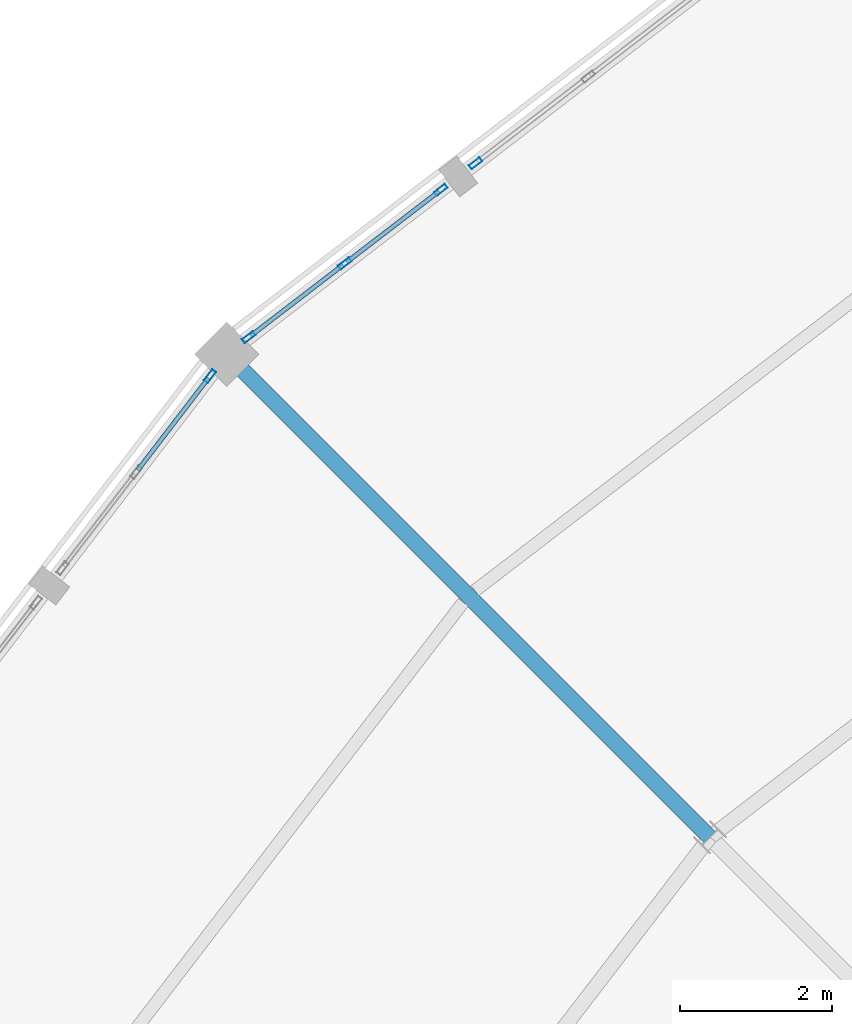
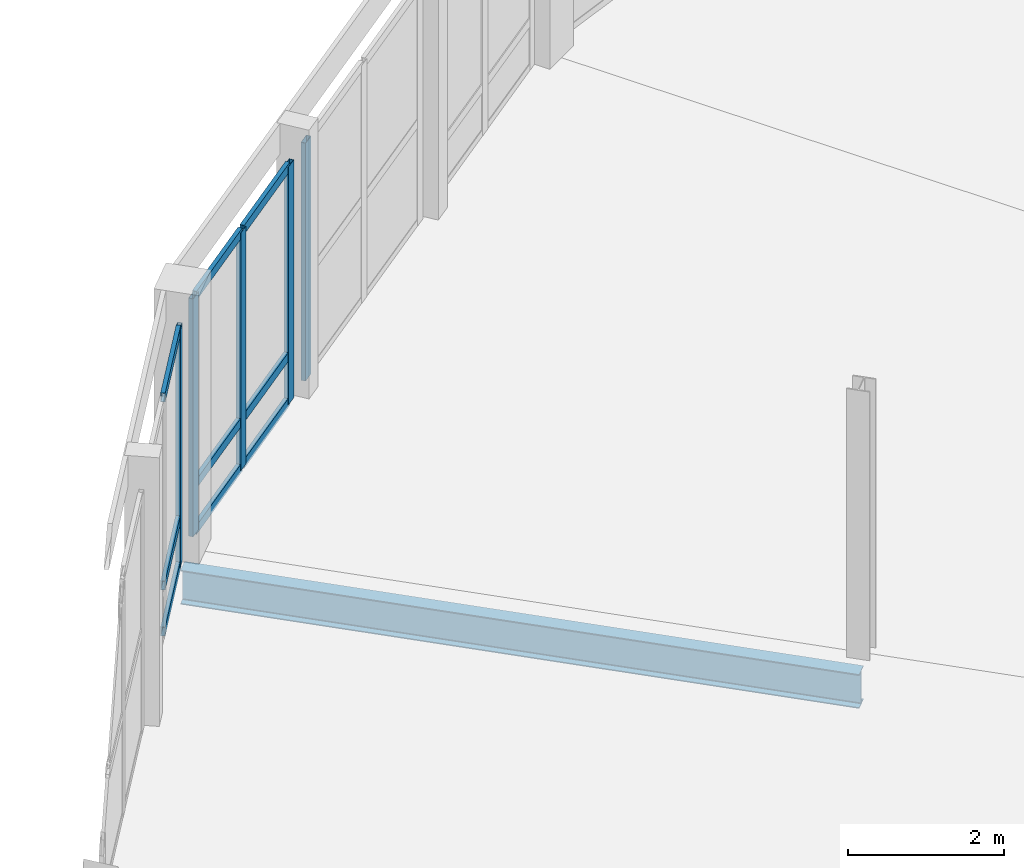
# One storey, part 71 of 170: 14 members, 1 beam, 3 elements without a shape of their own.
"""IFC4 building model written with IfcOpenShell, lengths in metres."""

from ifc_helpers import new_model, si_unit, direction, frame, origin, origin_2d, place, context, subcontext, project, spatial, hollow_rectangle, i_section, extrude, material, material_profile, profile_set, type_object, element, aggregate, save


model = new_model("IFC4")

# Units and contexts
model_context = context("Model", 3, precision=1e-05, world=origin(), true_north=direction((0.0, 1.0)))
body_context = subcontext(model_context, "Body", "Model", "MODEL_VIEW")
ifc_project = project(units=[si_unit("LENGTHUNIT", "METRE"), si_unit("AREAUNIT", "SQUARE_METRE"), si_unit("VOLUMEUNIT", "CUBIC_METRE"), si_unit("PLANEANGLEUNIT", "RADIAN"), si_unit("MASSUNIT", "GRAM", prefix="KILO")], contexts=[model_context])

# Site, building, storey
site_placement = place(None, origin())
site = spatial("IfcSite", under=ifc_project, at=site_placement, CompositionType="ELEMENT")
building_placement = place(site_placement, origin())
building = spatial("IfcBuilding", under=site, at=building_placement, Name="Vondelvale Polytechnic", CompositionType="ELEMENT")
storey_placement = place(building_placement, frame((0.0, 0.0, 5.39990234375)))
storey = spatial("IfcBuildingStorey", under=building, at=storey_placement, Name="L01", CompositionType="ELEMENT", Elevation=5.39990234375)

# Beam
ifc_material_1 = material(Name="Steel 300PLUS (fy = 300 MPa)", Category="steel")
ifc_material_profile_1 = material_profile(ifc_material_1, i_section(OverallWidth=0.208984375, OverallDepth=0.532958984375, WebThickness=0.01025390625, FlangeThickness=0.015625, FilletRadius=0.013916015625, at=origin_2d()), Name="530UB92.4")
ifc_profile_set_1 = profile_set([ifc_material_profile_1], Name="Steel 300PLUS (fy = 300 MPa)")
beam_type = type_object("IfcBeamType", Name="BM-UB530", PredefinedType="BEAM", material=ifc_profile_set_1)
beam_placement = place(storey_placement, frame((75.8369140625, 98.1630859375, -0.54638671875), z_axis=(-0.707106781187, 0.707106781187, 0.0), x_axis=(-0.707106781187, -0.707106781187, 0.0)))
element("IfcBeam", 1, at=beam_placement, inside=storey, type_object=beam_type, Name="L01 RG B-11", PredefinedType="BEAM", context=body_context, shape_type="SweptSolid", body=[
    extrude(i_section(OverallWidth=0.208984375, OverallDepth=0.532958984375, WebThickness=0.01025390625, FlangeThickness=0.015625, FilletRadius=0.013916015625, at=origin_2d()), origin(), (0.0, 0.0, 1.0), 8.999755859375),
])

# Curtain wall, member
ifc_material_2 = material(Name="Glulam GL18 structural Tasmanian oak (fb = 42 MPa)", Category="wood")
curtain_wall_type = type_object("IfcCurtainWallType", Name="CW-RING-OUTER", PredefinedType="NOTDEFINED", material=ifc_material_2)
curtain_wall_1_placement = place(storey_placement, origin())
curtain_wall_1 = element("IfcCurtainWall", 2, at=curtain_wall_1_placement, inside=storey, type_object=curtain_wall_type, Name="L01 architectural curtain wall CW-04-196", PredefinedType="NOTDEFINED")
ifc_material_3 = material(Name="Anodised extruded aluminium 6063-T6", Category="aluminium")
ifc_material_profile_2 = material_profile(ifc_material_3, hollow_rectangle(XDim=0.06494140625, YDim=0.179931640625, WallThickness=0.00390625, at=origin_2d()), Name="CW-MUL-180x65")
ifc_profile_set_2 = profile_set([ifc_material_profile_2], Name="Anodised extruded aluminium 6063-T6")
member_type_1 = type_object("IfcMemberType", Name="CW-MUL-65x180", PredefinedType="MULLION", material=ifc_profile_set_2)
member_1_placement = place(storey_placement, frame((72.749755859375, 107.041259765625, 0.0), z_axis=(0.0, 0.0, 1.0), x_axis=(0.608771189063, -0.793345851043, 0.0)))
member_1 = element("IfcMember", 3, at=member_1_placement, type_object=member_type_1, Name="CW-04-196 mullion 3", PredefinedType="MULLION", context=body_context, shape_type="SweptSolid", body=[
    extrude(hollow_rectangle(XDim=0.06494140625, YDim=0.179931640625, WallThickness=0.00390625, at=origin_2d()), origin(), (0.0, 0.0, 1.0), 3.72021484375),
])
aggregate(curtain_wall_1, [member_1])

# Curtain wall, members
curtain_wall_2_placement = place(storey_placement, origin())
curtain_wall_2 = element("IfcCurtainWall", 4, at=curtain_wall_2_placement, inside=storey, type_object=curtain_wall_type, Name="L01 architectural curtain wall CW-04-197", PredefinedType="NOTDEFINED")
member_2_placement = place(storey_placement, frame((72.293701171875, 106.691162109375, 0.0), z_axis=(0.0, 0.0, 1.0), x_axis=(0.608786860133, -0.793333825656, 0.0)))
member_2 = element("IfcMember", 5, at=member_2_placement, type_object=member_type_1, Name="CW-04-197 mullion 1", PredefinedType="MULLION", context=body_context, shape_type="SweptSolid", body=[
    extrude(hollow_rectangle(XDim=0.06494140625, YDim=0.179931640625, WallThickness=0.00390625, at=origin_2d()), origin(), (0.0, 0.0, 1.0), 3.72021484375),
])
member_3_placement = place(storey_placement, frame((71.0283203125, 105.72021484375, 0.0), z_axis=(0.0, 0.0, 1.0), x_axis=(0.608786860133, -0.793333825656, 0.0)))
member_3 = element("IfcMember", 6, at=member_3_placement, type_object=member_type_1, Name="CW-04-197 mullion 2", PredefinedType="MULLION", context=body_context, shape_type="SweptSolid", body=[
    extrude(hollow_rectangle(XDim=0.06494140625, YDim=0.179931640625, WallThickness=0.00390625, at=origin_2d()), origin(), (0.0, 0.0, 1.0), 3.72021484375),
])
member_4_placement = place(storey_placement, frame((69.762939453125, 104.749267578125, 0.0), z_axis=(0.0, 0.0, 1.0), x_axis=(0.608786860133, -0.793333825656, 0.0)))
member_4 = element("IfcMember", 7, at=member_4_placement, type_object=member_type_1, Name="CW-04-197 mullion 3", PredefinedType="MULLION", context=body_context, shape_type="SweptSolid", body=[
    extrude(hollow_rectangle(XDim=0.06494140625, YDim=0.179931640625, WallThickness=0.00390625, at=origin_2d()), origin(), (0.0, 0.0, 1.0), 3.72021484375),
])

# Curtain wall, member
curtain_wall_3_placement = place(storey_placement, origin())
curtain_wall_3 = element("IfcCurtainWall", 8, at=curtain_wall_3_placement, inside=storey, type_object=curtain_wall_type, Name="L01 architectural curtain wall CW-04-214", PredefinedType="NOTDEFINED")
member_5_placement = place(storey_placement, frame((69.250732421875, 104.237060546875, 0.0), z_axis=(0.0, 0.0, 1.0), x_axis=(0.793333825656, -0.608786860133, 0.0)))
member_5 = element("IfcMember", 9, at=member_5_placement, type_object=member_type_1, Name="CW-04-214 mullion 1", PredefinedType="MULLION", context=body_context, shape_type="SweptSolid", body=[
    extrude(hollow_rectangle(XDim=0.06494140625, YDim=0.179931640625, WallThickness=0.00390625, at=origin_2d()), origin(), (0.0, 0.0, 1.0), 3.72021484375),
])

# Member
ifc_material_profile_3 = material_profile(ifc_material_3, hollow_rectangle(XDim=0.06005859375, YDim=0.139892578125, WallThickness=0.00341796875, at=origin_2d()), Name="CW-TRN-140x60")
ifc_profile_set_3 = profile_set([ifc_material_profile_3], Name="Anodised extruded aluminium 6063-T6")
member_type_2 = type_object("IfcMemberType", Name="CW-TRN-60x140", PredefinedType="USERDEFINED", material=ifc_profile_set_3)
member_6_placement = place(storey_placement, frame((72.267822265625, 106.67138671875, 0.030029296875), z_axis=(-0.793364883229, -0.608746385664, 0.0), x_axis=(0.608746385664, -0.793364883229, 0.0)))
member_6 = element("IfcMember", 10, at=member_6_placement, type_object=member_type_2, Name="CW-04-197 transom 1.1", ObjectType="TRANSOM", PredefinedType="USERDEFINED", context=body_context, shape_type="SweptSolid", body=[
    extrude(hollow_rectangle(XDim=0.06005859375, YDim=0.139892578125, WallThickness=0.00341796875, at=origin_2d()), origin(), (0.0, 0.0, 1.0), 1.530029296875),
])

member_7_placement = place(storey_placement, frame((72.267822265625, 106.67138671875, 0.75), z_axis=(-0.793364883229, -0.608746385664, 0.0), x_axis=(0.608746385664, -0.793364883229, 0.0)))
member_7 = element("IfcMember", 11, at=member_7_placement, type_object=member_type_2, Name="CW-04-197 transom 1.2", ObjectType="TRANSOM", PredefinedType="USERDEFINED", context=body_context, shape_type="SweptSolid", body=[
    extrude(hollow_rectangle(XDim=0.06005859375, YDim=0.139892578125, WallThickness=0.00341796875, at=origin_2d()), origin(), (0.0, 0.0, 1.0), 1.530029296875),
])

member_8_placement = place(storey_placement, frame((72.267822265625, 106.67138671875, 3.690185546875), z_axis=(-0.793364883229, -0.608746385664, 0.0), x_axis=(0.608746385664, -0.793364883229, 0.0)))
member_8 = element("IfcMember", 12, at=member_8_placement, type_object=member_type_2, Name="CW-04-197 transom 1.3", ObjectType="TRANSOM", PredefinedType="USERDEFINED", context=body_context, shape_type="SweptSolid", body=[
    extrude(hollow_rectangle(XDim=0.06005859375, YDim=0.139892578125, WallThickness=0.00341796875, at=origin_2d()), origin(), (0.0, 0.0, 1.0), 1.530029296875),
])

member_9_placement = place(storey_placement, frame((71.00244140625, 105.700439453125, 0.030029296875), z_axis=(-0.793364883229, -0.608746385664, 0.0), x_axis=(0.608746385664, -0.793364883229, 0.0)))
member_9 = element("IfcMember", 13, at=member_9_placement, type_object=member_type_2, Name="CW-04-197 transom 2.1", ObjectType="TRANSOM", PredefinedType="USERDEFINED", context=body_context, shape_type="SweptSolid", body=[
    extrude(hollow_rectangle(XDim=0.06005859375, YDim=0.139892578125, WallThickness=0.00341796875, at=origin_2d()), origin(), (0.0, 0.0, 1.0), 1.530029296875),
])

member_10_placement = place(storey_placement, frame((71.00244140625, 105.700439453125, 0.75), z_axis=(-0.793364883229, -0.608746385664, 0.0), x_axis=(0.608746385664, -0.793364883229, 0.0)))
member_10 = element("IfcMember", 14, at=member_10_placement, type_object=member_type_2, Name="CW-04-197 transom 2.2", ObjectType="TRANSOM", PredefinedType="USERDEFINED", context=body_context, shape_type="SweptSolid", body=[
    extrude(hollow_rectangle(XDim=0.06005859375, YDim=0.139892578125, WallThickness=0.00341796875, at=origin_2d()), origin(), (0.0, 0.0, 1.0), 1.530029296875),
])

member_11_placement = place(storey_placement, frame((71.00244140625, 105.700439453125, 3.690185546875), z_axis=(-0.793364883229, -0.608746385664, 0.0), x_axis=(0.608746385664, -0.793364883229, 0.0)))
member_11 = element("IfcMember", 15, at=member_11_placement, type_object=member_type_2, Name="CW-04-197 transom 2.3", ObjectType="TRANSOM", PredefinedType="USERDEFINED", context=body_context, shape_type="SweptSolid", body=[
    extrude(hollow_rectangle(XDim=0.06005859375, YDim=0.139892578125, WallThickness=0.00341796875, at=origin_2d()), origin(), (0.0, 0.0, 1.0), 1.530029296875),
])

aggregate(curtain_wall_2, [member_2, member_3, member_4, member_6, member_7, member_8, member_9, member_10, member_11])

member_12_placement = place(storey_placement, frame((69.23095703125, 104.21142578125, 0.030029296875), z_axis=(-0.608746385664, -0.793364883229, 0.0), x_axis=(0.793364883229, -0.608746385664, 0.0)))
member_12 = element("IfcMember", 16, at=member_12_placement, type_object=member_type_2, Name="CW-04-214 transom 1.1", ObjectType="TRANSOM", PredefinedType="USERDEFINED", context=body_context, shape_type="SweptSolid", body=[
    extrude(hollow_rectangle(XDim=0.06005859375, YDim=0.139892578125, WallThickness=0.00341796875, at=origin_2d()), origin(), (0.0, 0.0, 1.0), 1.530029296875),
])

member_13_placement = place(storey_placement, frame((69.23095703125, 104.21142578125, 0.75), z_axis=(-0.608746385664, -0.793364883229, 0.0), x_axis=(0.793364883229, -0.608746385664, 0.0)))
member_13 = element("IfcMember", 17, at=member_13_placement, type_object=member_type_2, Name="CW-04-214 transom 1.2", ObjectType="TRANSOM", PredefinedType="USERDEFINED", context=body_context, shape_type="SweptSolid", body=[
    extrude(hollow_rectangle(XDim=0.06005859375, YDim=0.139892578125, WallThickness=0.00341796875, at=origin_2d()), origin(), (0.0, 0.0, 1.0), 1.530029296875),
])

member_14_placement = place(storey_placement, frame((69.23095703125, 104.21142578125, 3.690185546875), z_axis=(-0.608746385664, -0.793364883229, 0.0), x_axis=(0.793364883229, -0.608746385664, 0.0)))
member_14 = element("IfcMember", 18, at=member_14_placement, type_object=member_type_2, Name="CW-04-214 transom 1.3", ObjectType="TRANSOM", PredefinedType="USERDEFINED", context=body_context, shape_type="SweptSolid", body=[
    extrude(hollow_rectangle(XDim=0.06005859375, YDim=0.139892578125, WallThickness=0.00341796875, at=origin_2d()), origin(), (0.0, 0.0, 1.0), 1.530029296875),
])

aggregate(curtain_wall_3, [member_5, member_12, member_13, member_14])

save(model, "model.ifc")
